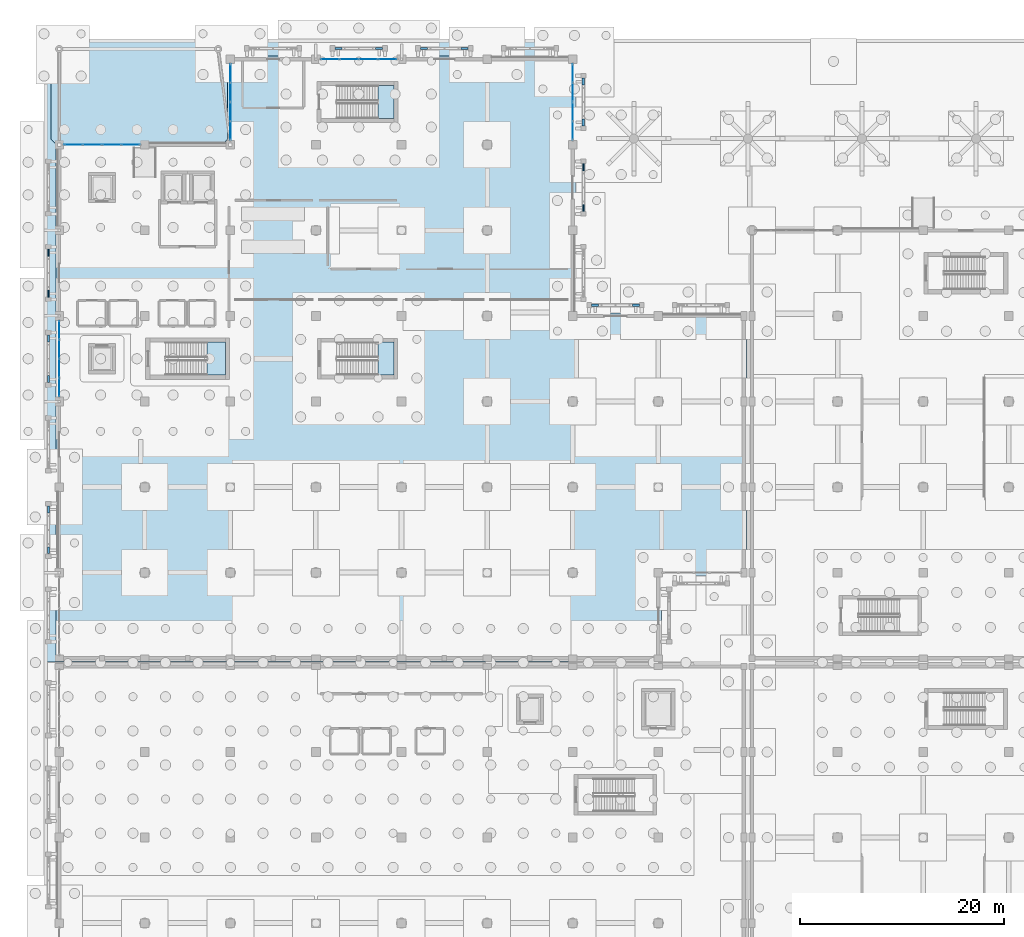
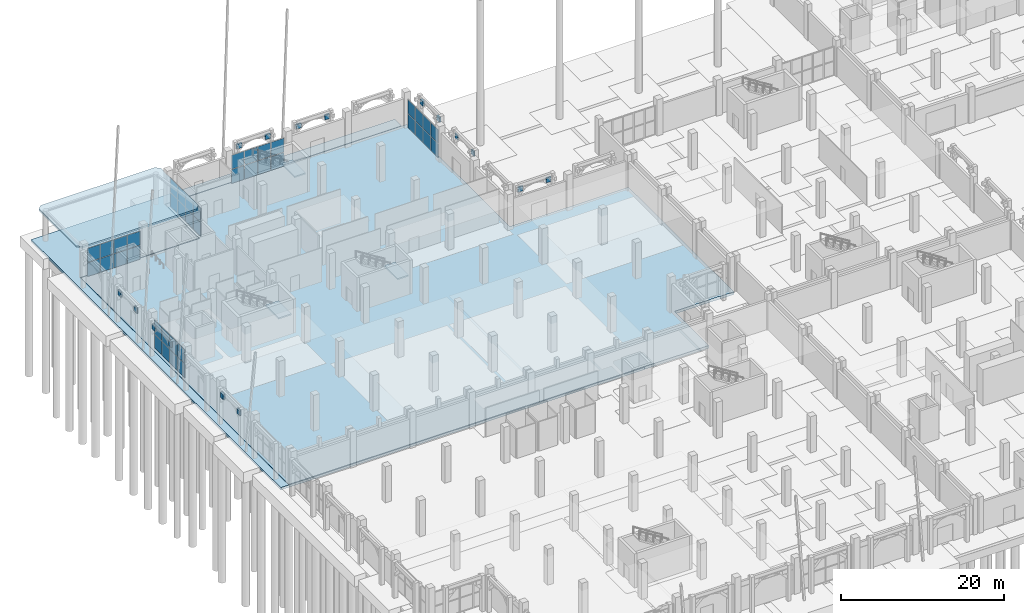
# One storey, part 53 of 98: 56 plates, 6 slabs, 8 elements without a shape of their own.
"""IFC4 building model written with IfcOpenShell, lengths in metres."""

from ifc_helpers import new_model, si_unit, direction, frame, origin, origin_2d, place, context, subcontext, project, spatial, polyline, rectangle, outline, extrude, material, layer, layer_set, type_object, element, aggregate, save


model = new_model("IFC4")

# Units and contexts
model_context = context("Model", 3, precision=1e-05, world=origin(), true_north=direction((0.0, 1.0)))
body_context = subcontext(model_context, "Body", "Model", "MODEL_VIEW")
ifc_project = project(units=[si_unit("LENGTHUNIT", "METRE"), si_unit("AREAUNIT", "SQUARE_METRE"), si_unit("VOLUMEUNIT", "CUBIC_METRE"), si_unit("PLANEANGLEUNIT", "RADIAN"), si_unit("MASSUNIT", "GRAM", prefix="KILO")], contexts=[model_context])

# Site, building, storey
site_placement = place(None, origin())
site = spatial("IfcSite", under=ifc_project, at=site_placement, CompositionType="ELEMENT")
building_placement = place(site_placement, origin())
building = spatial("IfcBuilding", under=site, at=building_placement, Name="Xazarin Passage Department Store", CompositionType="ELEMENT")
storey_placement = place(building_placement, origin())
storey = spatial("IfcBuildingStorey", under=building, at=storey_placement, Name="L00", CompositionType="ELEMENT", Elevation=0.0)

# Curtain wall, plates
ifc_material_1 = material(Name="Bronze anodised aluminium", Category="aluminium")
ifc_layer_1 = layer(ifc_material_1, 0.179931640625)
ifc_layer_set_1 = layer_set([ifc_layer_1], Name="Bronze anodised aluminium")
curtain_wall_type = type_object("IfcCurtainWallType", Name="ARC-CW-VIT1", PredefinedType="NOTDEFINED", material=ifc_layer_set_1)
curtain_wall_1_placement = place(storey_placement, origin())
curtain_wall_1 = element("IfcCurtainWall", 1, at=curtain_wall_1_placement, inside=storey, type_object=curtain_wall_type, Name="L00 V1 Curtain Wall 002", PredefinedType="NOTDEFINED")
ifc_material_2 = material(Name="Low-E laminated safety glass", Category="glass")
ifc_layer_2 = layer(ifc_material_2, 0.031982421875)
ifc_layer_set_2 = layer_set([ifc_layer_2], Name="Low-E laminated safety glass")
plate_type_1 = type_object("IfcPlateType", Name="ARC-CWP-GLZ32", PredefinedType="CURTAIN_PANEL", material=ifc_layer_set_2)
plate_1_placement = place(storey_placement, frame((1.387451171875, 101.60009765625, 0.074951171875), z_axis=(0.0, 0.0, 1.0), x_axis=(1.0, 0.0, 0.0)))
plate_1 = element("IfcPlate", 2, at=plate_1_placement, type_object=plate_type_1, Name="CW1 panel 1.1", PredefinedType="CURTAIN_PANEL", context=body_context, shape_type="SweptSolid", body=[
    extrude(rectangle(XDim=1.77490234375, YDim=0.031982421875, at=origin_2d()), origin(), (0.0, 0.0, 1.0), 2.0625),
])
plate_2_placement = place(storey_placement, frame((1.387451171875, 101.60009765625, 2.21240234375), z_axis=(0.0, 0.0, 1.0), x_axis=(1.0, 0.0, 0.0)))
plate_2 = element("IfcPlate", 3, at=plate_2_placement, type_object=plate_type_1, Name="CW1 panel 1.2", PredefinedType="CURTAIN_PANEL", context=body_context, shape_type="SweptSolid", body=[
    extrude(rectangle(XDim=1.77490234375, YDim=0.031982421875, at=origin_2d()), origin(), (0.0, 0.0, 1.0), 2.0625),
])
plate_3_placement = place(storey_placement, frame((3.25634765625, 101.60009765625, 0.074951171875), z_axis=(0.0, 0.0, 1.0), x_axis=(1.0, 0.0, 0.0)))
plate_3 = element("IfcPlate", 4, at=plate_3_placement, type_object=plate_type_1, Name="CW1 panel 2.1", PredefinedType="CURTAIN_PANEL", context=body_context, shape_type="SweptSolid", body=[
    extrude(rectangle(XDim=1.8125, YDim=0.031982421875, at=origin_2d()), origin(), (0.0, 0.0, 1.0), 2.0625),
])
plate_4_placement = place(storey_placement, frame((3.25634765625, 101.60009765625, 2.21240234375), z_axis=(0.0, 0.0, 1.0), x_axis=(1.0, 0.0, 0.0)))
plate_4 = element("IfcPlate", 5, at=plate_4_placement, type_object=plate_type_1, Name="CW1 panel 2.2", PredefinedType="CURTAIN_PANEL", context=body_context, shape_type="SweptSolid", body=[
    extrude(rectangle(XDim=1.8125, YDim=0.031982421875, at=origin_2d()), origin(), (0.0, 0.0, 1.0), 2.0625),
])
plate_5_placement = place(storey_placement, frame((5.143798828125, 101.60009765625, 0.074951171875), z_axis=(0.0, 0.0, 1.0), x_axis=(1.0, 0.0, 0.0)))
plate_5 = element("IfcPlate", 6, at=plate_5_placement, type_object=plate_type_1, Name="CW1 panel 3.1", PredefinedType="CURTAIN_PANEL", context=body_context, shape_type="SweptSolid", body=[
    extrude(rectangle(XDim=1.8125, YDim=0.031982421875, at=origin_2d()), origin(), (0.0, 0.0, 1.0), 2.0625),
])
plate_6_placement = place(storey_placement, frame((5.143798828125, 101.60009765625, 2.21240234375), z_axis=(0.0, 0.0, 1.0), x_axis=(1.0, 0.0, 0.0)))
plate_6 = element("IfcPlate", 7, at=plate_6_placement, type_object=plate_type_1, Name="CW1 panel 3.2", PredefinedType="CURTAIN_PANEL", context=body_context, shape_type="SweptSolid", body=[
    extrude(rectangle(XDim=1.8125, YDim=0.031982421875, at=origin_2d()), origin(), (0.0, 0.0, 1.0), 2.0625),
])
plate_7_placement = place(storey_placement, frame((7.012451171875, 101.60009765625, 0.074951171875), z_axis=(0.0, 0.0, 1.0), x_axis=(1.0, 0.0, 0.0)))
plate_7 = element("IfcPlate", 8, at=plate_7_placement, type_object=plate_type_1, Name="CW1 panel 4.1", PredefinedType="CURTAIN_PANEL", context=body_context, shape_type="SweptSolid", body=[
    extrude(rectangle(XDim=1.77490234375, YDim=0.031982421875, at=origin_2d()), origin(), (0.0, 0.0, 1.0), 2.0625),
])
plate_8_placement = place(storey_placement, frame((7.012451171875, 101.60009765625, 2.21240234375), z_axis=(0.0, 0.0, 1.0), x_axis=(1.0, 0.0, 0.0)))
plate_8 = element("IfcPlate", 9, at=plate_8_placement, type_object=plate_type_1, Name="CW1 panel 4.2", PredefinedType="CURTAIN_PANEL", context=body_context, shape_type="SweptSolid", body=[
    extrude(rectangle(XDim=1.77490234375, YDim=0.031982421875, at=origin_2d()), origin(), (0.0, 0.0, 1.0), 2.0625),
])
aggregate(curtain_wall_1, [plate_1, plate_2, plate_3, plate_4, plate_5, plate_6, plate_7, plate_8])

curtain_wall_2_placement = place(storey_placement, origin())
curtain_wall_2 = element("IfcCurtainWall", 10, at=curtain_wall_2_placement, inside=storey, type_object=curtain_wall_type, Name="L00 V1 Curtain Wall 003", PredefinedType="NOTDEFINED")
plate_9_placement = place(storey_placement, frame((26.58740234375, 110.0, 0.074951171875), z_axis=(0.0, 0.0, 1.0), x_axis=(1.0, 0.0, 0.0)))
plate_9 = element("IfcPlate", 11, at=plate_9_placement, type_object=plate_type_1, Name="CW1 panel 1.1", PredefinedType="CURTAIN_PANEL", context=body_context, shape_type="SweptSolid", body=[
    extrude(rectangle(XDim=1.77490234375, YDim=0.031982421875, at=origin_2d()), origin(), (0.0, 0.0, 1.0), 2.0625),
])
plate_10_placement = place(storey_placement, frame((26.58740234375, 110.0, 2.21240234375), z_axis=(0.0, 0.0, 1.0), x_axis=(1.0, 0.0, 0.0)))
plate_10 = element("IfcPlate", 12, at=plate_10_placement, type_object=plate_type_1, Name="CW1 panel 1.2", PredefinedType="CURTAIN_PANEL", context=body_context, shape_type="SweptSolid", body=[
    extrude(rectangle(XDim=1.77490234375, YDim=0.031982421875, at=origin_2d()), origin(), (0.0, 0.0, 1.0), 2.0625),
])
plate_11_placement = place(storey_placement, frame((28.456298828125, 110.0, 0.074951171875), z_axis=(0.0, 0.0, 1.0), x_axis=(1.0, 0.0, 0.0)))
plate_11 = element("IfcPlate", 13, at=plate_11_placement, type_object=plate_type_1, Name="CW1 panel 2.1", PredefinedType="CURTAIN_PANEL", context=body_context, shape_type="SweptSolid", body=[
    extrude(rectangle(XDim=1.8125, YDim=0.031982421875, at=origin_2d()), origin(), (0.0, 0.0, 1.0), 2.0625),
])
plate_12_placement = place(storey_placement, frame((28.456298828125, 110.0, 2.21240234375), z_axis=(0.0, 0.0, 1.0), x_axis=(1.0, 0.0, 0.0)))
plate_12 = element("IfcPlate", 14, at=plate_12_placement, type_object=plate_type_1, Name="CW1 panel 2.2", PredefinedType="CURTAIN_PANEL", context=body_context, shape_type="SweptSolid", body=[
    extrude(rectangle(XDim=1.8125, YDim=0.031982421875, at=origin_2d()), origin(), (0.0, 0.0, 1.0), 2.0625),
])
plate_13_placement = place(storey_placement, frame((30.34375, 110.0, 0.074951171875), z_axis=(0.0, 0.0, 1.0), x_axis=(1.0, 0.0, 0.0)))
plate_13 = element("IfcPlate", 15, at=plate_13_placement, type_object=plate_type_1, Name="CW1 panel 3.1", PredefinedType="CURTAIN_PANEL", context=body_context, shape_type="SweptSolid", body=[
    extrude(rectangle(XDim=1.8125, YDim=0.031982421875, at=origin_2d()), origin(), (0.0, 0.0, 1.0), 2.0625),
])
plate_14_placement = place(storey_placement, frame((30.34375, 110.0, 2.21240234375), z_axis=(0.0, 0.0, 1.0), x_axis=(1.0, 0.0, 0.0)))
plate_14 = element("IfcPlate", 16, at=plate_14_placement, type_object=plate_type_1, Name="CW1 panel 3.2", PredefinedType="CURTAIN_PANEL", context=body_context, shape_type="SweptSolid", body=[
    extrude(rectangle(XDim=1.8125, YDim=0.031982421875, at=origin_2d()), origin(), (0.0, 0.0, 1.0), 2.0625),
])
plate_15_placement = place(storey_placement, frame((32.21240234375, 110.0, 0.074951171875), z_axis=(0.0, 0.0, 1.0), x_axis=(1.0, 0.0, 0.0)))
plate_15 = element("IfcPlate", 17, at=plate_15_placement, type_object=plate_type_1, Name="CW1 panel 4.1", PredefinedType="CURTAIN_PANEL", context=body_context, shape_type="SweptSolid", body=[
    extrude(rectangle(XDim=1.77490234375, YDim=0.031982421875, at=origin_2d()), origin(), (0.0, 0.0, 1.0), 2.0625),
])
plate_16_placement = place(storey_placement, frame((32.21240234375, 110.0, 2.21240234375), z_axis=(0.0, 0.0, 1.0), x_axis=(1.0, 0.0, 0.0)))
plate_16 = element("IfcPlate", 18, at=plate_16_placement, type_object=plate_type_1, Name="CW1 panel 4.2", PredefinedType="CURTAIN_PANEL", context=body_context, shape_type="SweptSolid", body=[
    extrude(rectangle(XDim=1.77490234375, YDim=0.031982421875, at=origin_2d()), origin(), (0.0, 0.0, 1.0), 2.0625),
])
aggregate(curtain_wall_2, [plate_9, plate_10, plate_11, plate_12, plate_13, plate_14, plate_15, plate_16])

curtain_wall_3_placement = place(storey_placement, origin())
curtain_wall_3 = element("IfcCurtainWall", 19, at=curtain_wall_3_placement, inside=storey, type_object=curtain_wall_type, Name="L00 V1 Curtain Wall 005", PredefinedType="NOTDEFINED")
plate_17_placement = place(storey_placement, frame((0.0, 77.78759765625, 0.074951171875), z_axis=(0.0, 0.0, 1.0), x_axis=(0.0, 1.0, 0.0)))
plate_17 = element("IfcPlate", 20, at=plate_17_placement, type_object=plate_type_1, Name="CW1 panel 1.1", PredefinedType="CURTAIN_PANEL", context=body_context, shape_type="SweptSolid", body=[
    extrude(rectangle(XDim=1.77490234375, YDim=0.031982421875, at=origin_2d()), origin(), (0.0, 0.0, 1.0), 2.0625),
])
plate_18_placement = place(storey_placement, frame((0.0, 77.78759765625, 2.21240234375), z_axis=(0.0, 0.0, 1.0), x_axis=(0.0, 1.0, 0.0)))
plate_18 = element("IfcPlate", 21, at=plate_18_placement, type_object=plate_type_1, Name="CW1 panel 1.2", PredefinedType="CURTAIN_PANEL", context=body_context, shape_type="SweptSolid", body=[
    extrude(rectangle(XDim=1.77490234375, YDim=0.031982421875, at=origin_2d()), origin(), (0.0, 0.0, 1.0), 2.0625),
])
plate_19_placement = place(storey_placement, frame((0.0, 79.65625, 0.074951171875), z_axis=(0.0, 0.0, 1.0), x_axis=(0.0, 1.0, 0.0)))
plate_19 = element("IfcPlate", 22, at=plate_19_placement, type_object=plate_type_1, Name="CW1 panel 2.1", PredefinedType="CURTAIN_PANEL", context=body_context, shape_type="SweptSolid", body=[
    extrude(rectangle(XDim=1.8125, YDim=0.031982421875, at=origin_2d()), origin(), (0.0, 0.0, 1.0), 2.0625),
])
plate_20_placement = place(storey_placement, frame((0.0, 79.65625, 2.21240234375), z_axis=(0.0, 0.0, 1.0), x_axis=(0.0, 1.0, 0.0)))
plate_20 = element("IfcPlate", 23, at=plate_20_placement, type_object=plate_type_1, Name="CW1 panel 2.2", PredefinedType="CURTAIN_PANEL", context=body_context, shape_type="SweptSolid", body=[
    extrude(rectangle(XDim=1.8125, YDim=0.031982421875, at=origin_2d()), origin(), (0.0, 0.0, 1.0), 2.0625),
])
plate_21_placement = place(storey_placement, frame((0.0, 81.543701171875, 0.074951171875), z_axis=(0.0, 0.0, 1.0), x_axis=(0.0, 1.0, 0.0)))
plate_21 = element("IfcPlate", 24, at=plate_21_placement, type_object=plate_type_1, Name="CW1 panel 3.1", PredefinedType="CURTAIN_PANEL", context=body_context, shape_type="SweptSolid", body=[
    extrude(rectangle(XDim=1.8125, YDim=0.031982421875, at=origin_2d()), origin(), (0.0, 0.0, 1.0), 2.0625),
])
plate_22_placement = place(storey_placement, frame((0.0, 81.543701171875, 2.21240234375), z_axis=(0.0, 0.0, 1.0), x_axis=(0.0, 1.0, 0.0)))
plate_22 = element("IfcPlate", 25, at=plate_22_placement, type_object=plate_type_1, Name="CW1 panel 3.2", PredefinedType="CURTAIN_PANEL", context=body_context, shape_type="SweptSolid", body=[
    extrude(rectangle(XDim=1.8125, YDim=0.031982421875, at=origin_2d()), origin(), (0.0, 0.0, 1.0), 2.0625),
])
plate_23_placement = place(storey_placement, frame((0.0, 83.41259765625, 0.074951171875), z_axis=(0.0, 0.0, 1.0), x_axis=(0.0, 1.0, 0.0)))
plate_23 = element("IfcPlate", 26, at=plate_23_placement, type_object=plate_type_1, Name="CW1 panel 4.1", PredefinedType="CURTAIN_PANEL", context=body_context, shape_type="SweptSolid", body=[
    extrude(rectangle(XDim=1.77490234375, YDim=0.031982421875, at=origin_2d()), origin(), (0.0, 0.0, 1.0), 2.0625),
])
plate_24_placement = place(storey_placement, frame((0.0, 83.41259765625, 2.21240234375), z_axis=(0.0, 0.0, 1.0), x_axis=(0.0, 1.0, 0.0)))
plate_24 = element("IfcPlate", 27, at=plate_24_placement, type_object=plate_type_1, Name="CW1 panel 4.2", PredefinedType="CURTAIN_PANEL", context=body_context, shape_type="SweptSolid", body=[
    extrude(rectangle(XDim=1.77490234375, YDim=0.031982421875, at=origin_2d()), origin(), (0.0, 0.0, 1.0), 2.0625),
])
aggregate(curtain_wall_3, [plate_17, plate_18, plate_19, plate_20, plate_21, plate_22, plate_23, plate_24])

curtain_wall_4_placement = place(storey_placement, origin())
curtain_wall_4 = element("IfcCurtainWall", 28, at=curtain_wall_4_placement, inside=storey, type_object=curtain_wall_type, Name="L00 V1 Curtain Wall 006", PredefinedType="NOTDEFINED")
plate_25_placement = place(storey_placement, frame((16.800048828125, 102.987548828125, 0.074951171875), z_axis=(0.0, 0.0, 1.0), x_axis=(0.0, 1.0, 0.0)))
plate_25 = element("IfcPlate", 29, at=plate_25_placement, type_object=plate_type_1, Name="CW1 panel 1.1", PredefinedType="CURTAIN_PANEL", context=body_context, shape_type="SweptSolid", body=[
    extrude(rectangle(XDim=1.77490234375, YDim=0.031982421875, at=origin_2d()), origin(), (0.0, 0.0, 1.0), 2.0625),
])
plate_26_placement = place(storey_placement, frame((16.800048828125, 102.987548828125, 2.21240234375), z_axis=(0.0, 0.0, 1.0), x_axis=(0.0, 1.0, 0.0)))
plate_26 = element("IfcPlate", 30, at=plate_26_placement, type_object=plate_type_1, Name="CW1 panel 1.2", PredefinedType="CURTAIN_PANEL", context=body_context, shape_type="SweptSolid", body=[
    extrude(rectangle(XDim=1.77490234375, YDim=0.031982421875, at=origin_2d()), origin(), (0.0, 0.0, 1.0), 2.0625),
])
plate_27_placement = place(storey_placement, frame((16.800048828125, 104.856201171875, 0.074951171875), z_axis=(0.0, 0.0, 1.0), x_axis=(0.0, 1.0, 0.0)))
plate_27 = element("IfcPlate", 31, at=plate_27_placement, type_object=plate_type_1, Name="CW1 panel 2.1", PredefinedType="CURTAIN_PANEL", context=body_context, shape_type="SweptSolid", body=[
    extrude(rectangle(XDim=1.8125, YDim=0.031982421875, at=origin_2d()), origin(), (0.0, 0.0, 1.0), 2.0625),
])
plate_28_placement = place(storey_placement, frame((16.800048828125, 104.856201171875, 2.21240234375), z_axis=(0.0, 0.0, 1.0), x_axis=(0.0, 1.0, 0.0)))
plate_28 = element("IfcPlate", 32, at=plate_28_placement, type_object=plate_type_1, Name="CW1 panel 2.2", PredefinedType="CURTAIN_PANEL", context=body_context, shape_type="SweptSolid", body=[
    extrude(rectangle(XDim=1.8125, YDim=0.031982421875, at=origin_2d()), origin(), (0.0, 0.0, 1.0), 2.0625),
])
plate_29_placement = place(storey_placement, frame((16.800048828125, 106.74365234375, 0.074951171875), z_axis=(0.0, 0.0, 1.0), x_axis=(0.0, 1.0, 0.0)))
plate_29 = element("IfcPlate", 33, at=plate_29_placement, type_object=plate_type_1, Name="CW1 panel 3.1", PredefinedType="CURTAIN_PANEL", context=body_context, shape_type="SweptSolid", body=[
    extrude(rectangle(XDim=1.8125, YDim=0.031982421875, at=origin_2d()), origin(), (0.0, 0.0, 1.0), 2.0625),
])
plate_30_placement = place(storey_placement, frame((16.800048828125, 106.74365234375, 2.21240234375), z_axis=(0.0, 0.0, 1.0), x_axis=(0.0, 1.0, 0.0)))
plate_30 = element("IfcPlate", 34, at=plate_30_placement, type_object=plate_type_1, Name="CW1 panel 3.2", PredefinedType="CURTAIN_PANEL", context=body_context, shape_type="SweptSolid", body=[
    extrude(rectangle(XDim=1.8125, YDim=0.031982421875, at=origin_2d()), origin(), (0.0, 0.0, 1.0), 2.0625),
])
plate_31_placement = place(storey_placement, frame((16.800048828125, 108.612548828125, 0.074951171875), z_axis=(0.0, 0.0, 1.0), x_axis=(0.0, 1.0, 0.0)))
plate_31 = element("IfcPlate", 35, at=plate_31_placement, type_object=plate_type_1, Name="CW1 panel 4.1", PredefinedType="CURTAIN_PANEL", context=body_context, shape_type="SweptSolid", body=[
    extrude(rectangle(XDim=1.77490234375, YDim=0.031982421875, at=origin_2d()), origin(), (0.0, 0.0, 1.0), 2.0625),
])
plate_32_placement = place(storey_placement, frame((16.800048828125, 108.612548828125, 2.21240234375), z_axis=(0.0, 0.0, 1.0), x_axis=(0.0, 1.0, 0.0)))
plate_32 = element("IfcPlate", 36, at=plate_32_placement, type_object=plate_type_1, Name="CW1 panel 4.2", PredefinedType="CURTAIN_PANEL", context=body_context, shape_type="SweptSolid", body=[
    extrude(rectangle(XDim=1.77490234375, YDim=0.031982421875, at=origin_2d()), origin(), (0.0, 0.0, 1.0), 2.0625),
])
aggregate(curtain_wall_4, [plate_25, plate_26, plate_27, plate_28, plate_29, plate_30, plate_31, plate_32])

curtain_wall_5_placement = place(storey_placement, origin())
curtain_wall_5 = element("IfcCurtainWall", 37, at=curtain_wall_5_placement, inside=storey, type_object=curtain_wall_type, Name="L00 V1 Curtain Wall 007", PredefinedType="NOTDEFINED")
plate_33_placement = place(storey_placement, frame((50.39990234375, 102.987548828125, 0.074951171875), z_axis=(0.0, 0.0, 1.0), x_axis=(0.0, 1.0, 0.0)))
plate_33 = element("IfcPlate", 38, at=plate_33_placement, type_object=plate_type_1, Name="CW1 panel 1.1", PredefinedType="CURTAIN_PANEL", context=body_context, shape_type="SweptSolid", body=[
    extrude(rectangle(XDim=1.77490234375, YDim=0.031982421875, at=origin_2d()), origin(), (0.0, 0.0, 1.0), 2.0625),
])
plate_34_placement = place(storey_placement, frame((50.39990234375, 102.987548828125, 2.21240234375), z_axis=(0.0, 0.0, 1.0), x_axis=(0.0, 1.0, 0.0)))
plate_34 = element("IfcPlate", 39, at=plate_34_placement, type_object=plate_type_1, Name="CW1 panel 1.2", PredefinedType="CURTAIN_PANEL", context=body_context, shape_type="SweptSolid", body=[
    extrude(rectangle(XDim=1.77490234375, YDim=0.031982421875, at=origin_2d()), origin(), (0.0, 0.0, 1.0), 2.0625),
])
plate_35_placement = place(storey_placement, frame((50.39990234375, 104.856201171875, 0.074951171875), z_axis=(0.0, 0.0, 1.0), x_axis=(0.0, 1.0, 0.0)))
plate_35 = element("IfcPlate", 40, at=plate_35_placement, type_object=plate_type_1, Name="CW1 panel 2.1", PredefinedType="CURTAIN_PANEL", context=body_context, shape_type="SweptSolid", body=[
    extrude(rectangle(XDim=1.8125, YDim=0.031982421875, at=origin_2d()), origin(), (0.0, 0.0, 1.0), 2.0625),
])
plate_36_placement = place(storey_placement, frame((50.39990234375, 104.856201171875, 2.21240234375), z_axis=(0.0, 0.0, 1.0), x_axis=(0.0, 1.0, 0.0)))
plate_36 = element("IfcPlate", 41, at=plate_36_placement, type_object=plate_type_1, Name="CW1 panel 2.2", PredefinedType="CURTAIN_PANEL", context=body_context, shape_type="SweptSolid", body=[
    extrude(rectangle(XDim=1.8125, YDim=0.031982421875, at=origin_2d()), origin(), (0.0, 0.0, 1.0), 2.0625),
])
plate_37_placement = place(storey_placement, frame((50.39990234375, 106.74365234375, 0.074951171875), z_axis=(0.0, 0.0, 1.0), x_axis=(0.0, 1.0, 0.0)))
plate_37 = element("IfcPlate", 42, at=plate_37_placement, type_object=plate_type_1, Name="CW1 panel 3.1", PredefinedType="CURTAIN_PANEL", context=body_context, shape_type="SweptSolid", body=[
    extrude(rectangle(XDim=1.8125, YDim=0.031982421875, at=origin_2d()), origin(), (0.0, 0.0, 1.0), 2.0625),
])
plate_38_placement = place(storey_placement, frame((50.39990234375, 106.74365234375, 2.21240234375), z_axis=(0.0, 0.0, 1.0), x_axis=(0.0, 1.0, 0.0)))
plate_38 = element("IfcPlate", 43, at=plate_38_placement, type_object=plate_type_1, Name="CW1 panel 3.2", PredefinedType="CURTAIN_PANEL", context=body_context, shape_type="SweptSolid", body=[
    extrude(rectangle(XDim=1.8125, YDim=0.031982421875, at=origin_2d()), origin(), (0.0, 0.0, 1.0), 2.0625),
])
plate_39_placement = place(storey_placement, frame((50.39990234375, 108.612548828125, 0.074951171875), z_axis=(0.0, 0.0, 1.0), x_axis=(0.0, 1.0, 0.0)))
plate_39 = element("IfcPlate", 44, at=plate_39_placement, type_object=plate_type_1, Name="CW1 panel 4.1", PredefinedType="CURTAIN_PANEL", context=body_context, shape_type="SweptSolid", body=[
    extrude(rectangle(XDim=1.77490234375, YDim=0.031982421875, at=origin_2d()), origin(), (0.0, 0.0, 1.0), 2.0625),
])
plate_40_placement = place(storey_placement, frame((50.39990234375, 108.612548828125, 2.21240234375), z_axis=(0.0, 0.0, 1.0), x_axis=(0.0, 1.0, 0.0)))
plate_40 = element("IfcPlate", 45, at=plate_40_placement, type_object=plate_type_1, Name="CW1 panel 4.2", PredefinedType="CURTAIN_PANEL", context=body_context, shape_type="SweptSolid", body=[
    extrude(rectangle(XDim=1.77490234375, YDim=0.031982421875, at=origin_2d()), origin(), (0.0, 0.0, 1.0), 2.0625),
])
aggregate(curtain_wall_5, [plate_33, plate_34, plate_35, plate_36, plate_37, plate_38, plate_39, plate_40])

# Plates
ifc_material_3 = material(Name="Precast concrete C40/50", Category="concrete")
ifc_layer_3 = layer(ifc_material_3, 0.159912109375)
ifc_layer_set_3 = layer_set([ifc_layer_3], Name="Precast concrete C40/50")
plate_type_2 = type_object("IfcPlateType", Name="ARC-PLT-SCR-09", PredefinedType="USERDEFINED", material=ifc_layer_set_3)
for number, where, z_axis, x_axis, name in (
    (46, (-1.050048828125, 87.0, 4.16015625), (0.0, 0.0, 1.0), (0.0, 1.0, 0.0), "L00 V1 Arch Spandrel Tympanum 0109"),
    (47, (-1.050048828125, 91.0, 4.16015625), (0.0, 0.0, 1.0), (0.0, 1.0, 0.0), "L00 V1 Arch Spandrel Tympanum 0110"),
    (48, (51.449951171875, 95.39990234375, 4.16015625), (0.0, 0.0, 1.0), (0.0, 1.0, 0.0), "L00 V1 Arch Spandrel Tympanum 0149"),
    (49, (51.449951171875, 99.39990234375, 4.16015625), (0.0, 0.0, 1.0), (0.0, 1.0, 0.0), "L00 V1 Arch Spandrel Tympanum 0150"),
):
    element("IfcPlate", number, at=place(storey_placement, frame(where, z_axis=z_axis, x_axis=x_axis)), inside=storey, type_object=plate_type_2, Name=name, ObjectType="SCREEN PANEL", PredefinedType="USERDEFINED", context=body_context, shape_type="SweptSolid", body=[
        extrude(rectangle(XDim=0.679931640625, YDim=0.159912109375, at=origin_2d()), origin(), (0.0, 0.0, 1.0), 0.719970703125),
    ])
ifc_layer_4 = layer(ifc_material_3, 0.199951171875)
ifc_layer_set_4 = layer_set([ifc_layer_4], Name="Precast concrete C40/50")
plate_type_3 = type_object("IfcPlateType", Name="ARC-PLT-SCR-13", PredefinedType="USERDEFINED", material=ifc_layer_set_4)
for number, where, z_axis, x_axis, name in (
    (50, (35.800048828125, 111.050048828125, 4.16015625), (0.0, 0.0, 1.0), (1.0, 0.0, 0.0), "L00 V1 Arch Spandrel Tympanum 0033"),
    (51, (39.800048828125, 111.050048828125, 4.16015625), (0.0, 0.0, 1.0), (1.0, 0.0, 0.0), "L00 V1 Arch Spandrel Tympanum 0034"),
    (52, (52.60009765625, 85.85009765625, 4.16015625), (0.0, 0.0, 1.0), (1.0, 0.0, 0.0), "L00 V1 Arch Spandrel Tympanum 0053"),
    (53, (56.60009765625, 85.85009765625, 4.16015625), (0.0, 0.0, 1.0), (1.0, 0.0, 0.0), "L00 V1 Arch Spandrel Tympanum 0054"),
    (54, (-1.050048828125, 78.60009765625, 4.16015625), (0.0, 0.0, 1.0), (0.0, 1.0, 0.0), "L00 V1 Arch Spandrel Tympanum 0093"),
    (55, (-1.050048828125, 82.60009765625, 4.16015625), (0.0, 0.0, 1.0), (0.0, 1.0, 0.0), "L00 V1 Arch Spandrel Tympanum 0094"),
):
    element("IfcPlate", number, at=place(storey_placement, frame(where, z_axis=z_axis, x_axis=x_axis)), inside=storey, type_object=plate_type_3, Name=name, ObjectType="SCREEN PANEL", PredefinedType="USERDEFINED", context=body_context, shape_type="SweptSolid", body=[
        extrude(rectangle(XDim=0.679931640625, YDim=0.199951171875, at=origin_2d()), origin(), (0.0, 0.0, 1.0), 0.719970703125),
    ])
ifc_layer_5 = layer(ifc_material_3, 0.239990234375)
ifc_layer_set_5 = layer_set([ifc_layer_5], Name="Precast concrete C40/50")
plate_type_4 = type_object("IfcPlateType", Name="ARC-PLT-SCR-17", PredefinedType="USERDEFINED", material=ifc_layer_set_5)
for number, where, z_axis, x_axis, name in (
    (56, (27.39990234375, 111.050048828125, 4.16015625), (0.0, 0.0, 1.0), (1.0, 0.0, 0.0), "L00 V1 Arch Spandrel Tympanum 0017"),
    (57, (31.39990234375, 111.050048828125, 4.16015625), (0.0, 0.0, 1.0), (1.0, 0.0, 0.0), "L00 V1 Arch Spandrel Tympanum 0018"),
    (58, (-1.050048828125, 61.800048828125, 4.16015625), (0.0, 0.0, 1.0), (0.0, 1.0, 0.0), "L00 V1 Arch Spandrel Tympanum 0077"),
    (59, (-1.050048828125, 65.800048828125, 4.16015625), (0.0, 0.0, 1.0), (0.0, 1.0, 0.0), "L00 V1 Arch Spandrel Tympanum 0078"),
    (60, (51.449951171875, 103.800048828125, 4.16015625), (0.0, 0.0, 1.0), (0.0, 1.0, 0.0), "L00 V1 Arch Spandrel Tympanum 0157"),
    (61, (51.449951171875, 107.800048828125, 4.16015625), (0.0, 0.0, 1.0), (0.0, 1.0, 0.0), "L00 V1 Arch Spandrel Tympanum 0158"),
):
    element("IfcPlate", number, at=place(storey_placement, frame(where, z_axis=z_axis, x_axis=x_axis)), inside=storey, type_object=plate_type_4, Name=name, ObjectType="SCREEN PANEL", PredefinedType="USERDEFINED", context=body_context, shape_type="SweptSolid", body=[
        extrude(rectangle(XDim=0.679931640625, YDim=0.239990234375, at=origin_2d()), origin(), (0.0, 0.0, 1.0), 0.719970703125),
    ])

# Slabs
ifc_material_4 = material(Name="Concrete C35/45", Category="concrete")
ifc_layer_6 = layer(ifc_material_4, 0.39990234375)
ifc_layer_set_6 = layer_set([ifc_layer_6], Name="Concrete C35/45")
slab_type_1 = type_object("IfcSlabType", Name="STR-SLB-BASE400", PredefinedType="BASESLAB", material=ifc_layer_set_6)
slab_1_placement = place(storey_placement, frame((0.0, 0.0, -0.39990234375)))
element("IfcSlab", 62, at=slab_1_placement, inside=storey, type_object=slab_type_1, Name="L00 V1 Structural Base Slab", PredefinedType="BASESLAB", context=body_context, shape_type="SweptSolid", body=[
    extrude(outline(polyline([(67.5, 85.10009765625), (50.699951171875, 85.10009765625), (50.699951171875, 110.300048828125), (16.5, 110.300048828125), (16.5, 101.89990234375), (-0.300048828125, 101.89990234375), (-0.300048828125, 50.89990234375), (59.10009765625, 50.89990234375), (59.10009765625, 59.300048828125), (67.5, 59.300048828125), (67.5, 85.10009765625)])), origin(), (0.0, 0.0, 1.0), 0.39990234375),
])
ifc_material_5 = material(Name="Concrete C40/50", Category="concrete")
ifc_layer_7 = layer(ifc_material_5, 0.25)
ifc_layer_set_7 = layer_set([ifc_layer_7], Name="Concrete C40/50")
slab_type_2 = type_object("IfcSlabType", Name="STR-SLB-CAN250", PredefinedType="ROOF", material=ifc_layer_set_7)
slab_2_placement = place(storey_placement, frame((0.0, 0.0, 4.550048828125)))
element("IfcSlab", 63, at=slab_2_placement, inside=storey, type_object=slab_type_2, Name="Entrance Canopy Slab CN1", PredefinedType="ROOF", context=body_context, shape_type="SweptSolid", body=[
    extrude(outline(polyline([(-0.25, 101.60009765625), (15.949951171875, 101.60009765625), (16.5, 102.14990234375), (16.5, 111.25), (15.949951171875, 111.800048828125), (-0.25, 111.800048828125), (-0.800048828125, 111.25), (-0.800048828125, 102.14990234375), (-0.25, 101.60009765625)])), origin(), (0.0, 0.0, 1.0), 0.25),
])

# Stair, slab
stair_type = type_object("IfcStairType", Name="ARC-ST-L00", PredefinedType="HALF_TURN_STAIR", material=ifc_material_4)
stair_1_placement = place(storey_placement, origin())
stair_1 = element("IfcStair", 64, at=stair_1_placement, inside=storey, type_object=stair_type, Name="L00 Exit Stair ST1", PredefinedType="HALF_TURN_STAIR")
ifc_layer_8 = layer(ifc_material_4, 0.199951171875)
ifc_layer_set_8 = layer_set([ifc_layer_8], Name="Concrete C35/45")
slab_type_3 = type_object("IfcSlabType", Name="STR-SLB-LND200", PredefinedType="LANDING", material=ifc_layer_set_8)
slab_3_placement = place(storey_placement, frame((0.0, 0.0, 2.5)))
slab_3 = element("IfcSlab", 65, at=slab_3_placement, type_object=slab_type_3, Name="ST1 landing 1", PredefinedType="LANDING", context=body_context, shape_type="SweptSolid", body=[
    extrude(outline(polyline([(14.489990234375, 78.97998046875), (16.300048828125, 78.97998046875), (16.300048828125, 82.219970703125), (14.489990234375, 82.219970703125), (14.489990234375, 78.97998046875)])), origin(), (0.0, 0.0, 1.0), 0.199951171875),
])
aggregate(stair_1, [slab_3])

stair_2_placement = place(storey_placement, origin())
stair_2 = element("IfcStair", 66, at=stair_2_placement, inside=storey, type_object=stair_type, Name="L00 Exit Stair ST2", PredefinedType="HALF_TURN_STAIR")
slab_4_placement = place(storey_placement, frame((0.0, 0.0, 2.5)))
slab_4 = element("IfcSlab", 67, at=slab_4_placement, type_object=slab_type_3, Name="ST2 landing 1", PredefinedType="LANDING", context=body_context, shape_type="SweptSolid", body=[
    extrude(outline(polyline([(31.2900390625, 104.179931640625), (32.85009765625, 104.179931640625), (32.85009765625, 107.419921875), (31.2900390625, 107.419921875), (31.2900390625, 104.179931640625)])), origin(), (0.0, 0.0, 1.0), 0.199951171875),
])
aggregate(stair_2, [slab_4])

stair_3_placement = place(storey_placement, origin())
stair_3 = element("IfcStair", 68, at=stair_3_placement, inside=storey, type_object=stair_type, Name="L00 Exit Stair ST3", PredefinedType="HALF_TURN_STAIR")
slab_5_placement = place(storey_placement, frame((0.0, 0.0, 2.5)))
slab_5 = element("IfcSlab", 69, at=slab_5_placement, type_object=slab_type_3, Name="ST3 landing 1", PredefinedType="LANDING", context=body_context, shape_type="SweptSolid", body=[
    extrude(outline(polyline([(31.2900390625, 78.97998046875), (32.85009765625, 78.97998046875), (32.85009765625, 82.219970703125), (31.2900390625, 82.219970703125), (31.2900390625, 78.97998046875)])), origin(), (0.0, 0.0, 1.0), 0.199951171875),
])
aggregate(stair_3, [slab_5])

# Slab
ifc_layer_9 = layer(ifc_material_4, 0.35009765625)
ifc_layer_set_9 = layer_set([ifc_layer_9], Name="Concrete C35/45")
slab_type_4 = type_object("IfcSlabType", Name="STR-SLB-PLZ350", PredefinedType="BASESLAB", material=ifc_layer_set_9)
slab_6_placement = place(storey_placement, frame((0.0, 0.0, -0.35009765625)))
element("IfcSlab", 70, at=slab_6_placement, inside=storey, type_object=slab_type_4, Name="L00 Open Trading Court Limestone Plaza Slab 02", PredefinedType="BASESLAB", context=body_context, shape_type="SweptSolid", body=[
    extrude(outline(polyline([(49.989990234375, 110.324951171875), (49.989990234375, 111.989990234375), (-1.489990234375, 111.989990234375), (-1.489990234375, 50.81005859375), (49.989990234375, 50.81005859375), (49.989990234375, 50.875), (-0.300048828125, 50.875), (-0.302490234375, 50.875), (-0.304931640625, 50.87548828125), (-0.307373046875, 50.876220703125), (-0.3095703125, 50.876953125), (-0.311767578125, 50.8779296875), (-0.31396484375, 50.879150390625), (-0.31591796875, 50.880615234375), (-0.317626953125, 50.88232421875), (-0.3193359375, 50.884033203125), (-0.32080078125, 50.885986328125), (-0.322021484375, 50.88818359375), (-0.322998046875, 50.890380859375), (-0.323974609375, 50.892578125), (-0.324462890625, 50.89501953125), (-0.324951171875, 50.8974609375), (-0.324951171875, 50.89990234375), (-0.324951171875, 101.89990234375), (-0.324951171875, 101.902587890625), (-0.324462890625, 101.90478515625), (-0.323974609375, 101.9072265625), (-0.322998046875, 101.90966796875), (-0.322021484375, 101.911865234375), (-0.32080078125, 101.913818359375), (-0.3193359375, 101.916015625), (-0.317626953125, 101.917724609375), (-0.31591796875, 101.919189453125), (-0.31396484375, 101.9208984375), (-0.311767578125, 101.922119140625), (-0.3095703125, 101.923095703125), (-0.307373046875, 101.923828125), (-0.304931640625, 101.924560546875), (-0.302490234375, 101.9248046875), (-0.300048828125, 101.925048828125), (16.47509765625, 101.925048828125), (16.47509765625, 110.300048828125), (16.47509765625, 110.302490234375), (16.4755859375, 110.304931640625), (16.47607421875, 110.307373046875), (16.476806640625, 110.3095703125), (16.47802734375, 110.311767578125), (16.479248046875, 110.31396484375), (16.480712890625, 110.31591796875), (16.482421875, 110.317626953125), (16.484130859375, 110.3193359375), (16.486083984375, 110.32080078125), (16.48828125, 110.322021484375), (16.490478515625, 110.322998046875), (16.49267578125, 110.323974609375), (16.4951171875, 110.324462890625), (16.49755859375, 110.324951171875), (16.5, 110.324951171875), (49.989990234375, 110.324951171875)])), origin(), (0.0, 0.0, 1.0), 0.35009765625),
])

save(model, "model.ifc")
